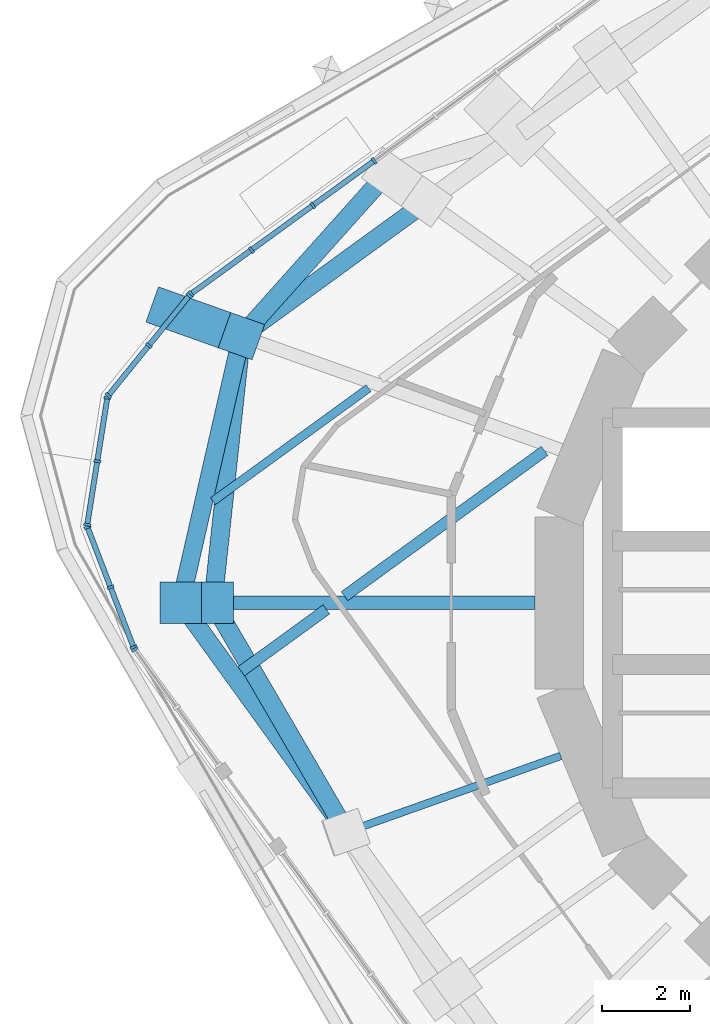
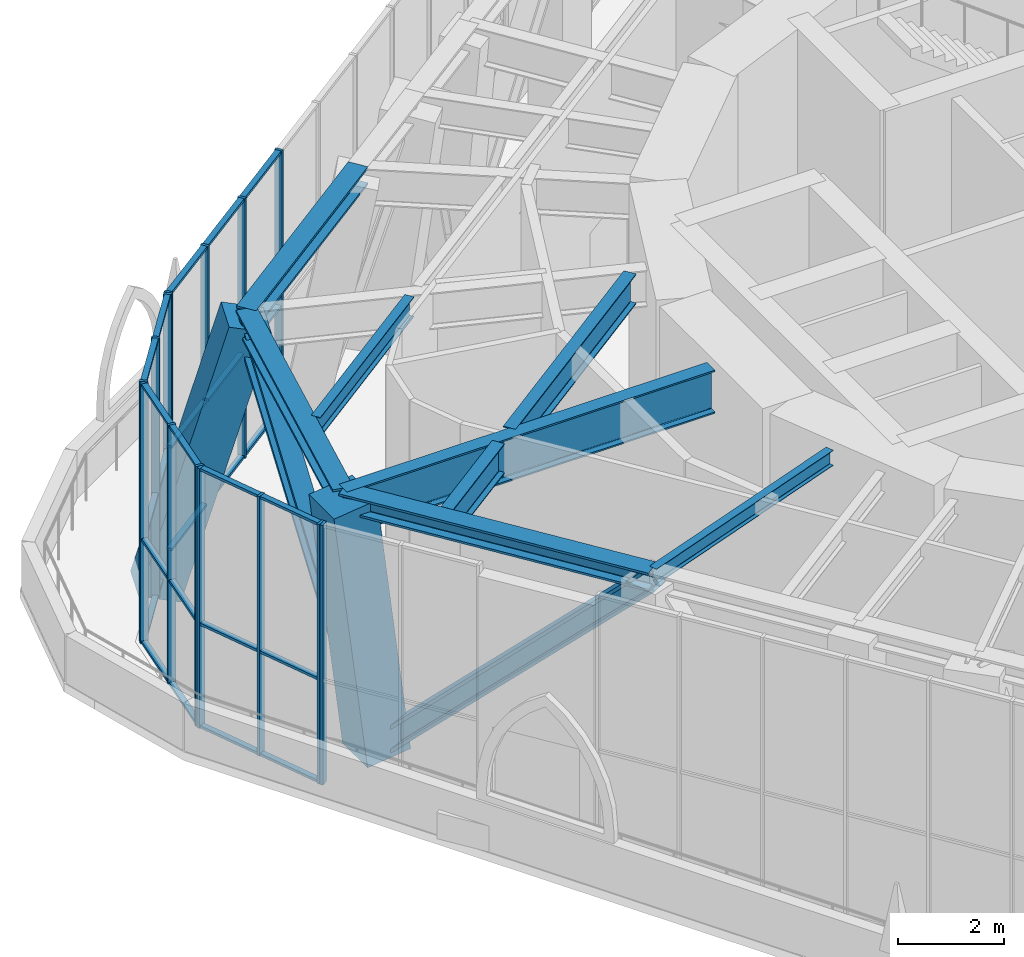
# One storey, part 4 of 18: 49 members, 5 beams, 5 elements without a shape of their own.
"""IFC4 building model written with IfcOpenShell, lengths in metres."""

from ifc_helpers import new_model, si_unit, direction, frame, origin, origin_2d, place, context, subcontext, project, spatial, rectangle, i_section, extrude, material, material_profile, profile_set, type_object, element, aggregate, save


model = new_model("IFC4")

# Units and contexts
model_context = context("Model", 3, precision=1e-05, world=origin(), true_north=direction((0.0, 1.0)))
body_context = subcontext(model_context, "Body", "Model", "MODEL_VIEW")
ifc_project = project(units=[si_unit("LENGTHUNIT", "METRE"), si_unit("AREAUNIT", "SQUARE_METRE"), si_unit("VOLUMEUNIT", "CUBIC_METRE"), si_unit("PLANEANGLEUNIT", "RADIAN"), si_unit("MASSUNIT", "GRAM", prefix="KILO")], contexts=[model_context])

# Site, building, storey
site_placement = place(None, origin())
site = spatial("IfcSite", under=ifc_project, at=site_placement, CompositionType="ELEMENT")
building_placement = place(site_placement, origin())
building = spatial("IfcBuilding", under=site, at=building_placement, Name="Nakasero Lantern House", CompositionType="ELEMENT")
storey_placement = place(building_placement, frame((0.0, 0.0, 257.75)))
storey = spatial("IfcBuildingStorey", under=building, at=storey_placement, Name="L63", CompositionType="ELEMENT", Elevation=257.75)

# Members
ifc_material_1 = material(Name="Steel S355", Category="steel")
ifc_material_profile_1 = material_profile(ifc_material_1, i_section(OverallWidth=0.406982421875, OverallDepth=0.4189453125, WebThickness=0.030517578125, FlangeThickness=0.04931640625, FilletRadius=0.01513671875, at=origin_2d()), Name="UC 356x406x393")
ifc_profile_set_1 = profile_set([ifc_material_profile_1], Name="Steel S355")
member_type_1 = type_object("IfcMemberType", Name="Belt truss chord UC 356x406x393", PredefinedType="CHORD", material=ifc_profile_set_1)
member_1_placement = place(storey_placement, frame((-12.810791015625, 9.10986328125, 5.590576171875), z_axis=(-0.809001814948, -0.587806144414, 0.0), x_axis=(0.587806144414, -0.809001814948, 0.0)))
element("IfcMember", 1, at=member_1_placement, inside=storey, type_object=member_type_1, Name="Belt truss top chord T6 B7-C13T", PredefinedType="CHORD", context=body_context, shape_type="SweptSolid", body=[
    extrude(i_section(OverallWidth=0.406982421875, OverallDepth=0.4189453125, WebThickness=0.030517578125, FlangeThickness=0.04931640625, FilletRadius=0.01513671875, at=origin_2d()), origin(), (0.0, 0.0, 1.0), 5.202880859375),
])
member_2_placement = place(storey_placement, frame((-17.02001953125, 6.051513671875, 5.590576171875), z_axis=(-0.222316387753, -0.974974575944, 0.0), x_axis=(0.974974575944, -0.222316387753, 0.0)))
element("IfcMember", 2, at=member_2_placement, inside=storey, type_object=member_type_1, Name="Belt truss top chord T6 B7-C14T", PredefinedType="CHORD", context=body_context, shape_type="SweptSolid", body=[
    extrude(i_section(OverallWidth=0.406982421875, OverallDepth=0.4189453125, WebThickness=0.030517578125, FlangeThickness=0.04931640625, FilletRadius=0.01513671875, at=origin_2d()), origin(), (0.0, 0.0, 1.0), 6.206787109375),
])
member_3_placement = place(storey_placement, frame((-18.39990234375, 0.0, 5.590576171875), z_axis=(0.58599287996, -0.810316200404, 0.0), x_axis=(0.810316200404, 0.58599287996, 0.0)))
element("IfcMember", 3, at=member_3_placement, inside=storey, type_object=member_type_1, Name="Belt truss top chord T6 B7-C15T", PredefinedType="CHORD", context=body_context, shape_type="SweptSolid", body=[
    extrude(i_section(OverallWidth=0.406982421875, OverallDepth=0.4189453125, WebThickness=0.030517578125, FlangeThickness=0.04931640625, FilletRadius=0.01513671875, at=origin_2d()), origin(), (0.0, 0.0, 1.0), 6.42236328125),
])
ifc_material_2 = material(Name="Steel S355", Category="steel")
ifc_material_profile_2 = material_profile(ifc_material_2, i_section(OverallWidth=0.41845703125, OverallDepth=0.45556640625, WebThickness=0.0419921875, FlangeThickness=0.0673828125, FilletRadius=0.01513671875, at=origin_2d()), Name="UC 356x406x551")
ifc_profile_set_2 = profile_set([ifc_material_profile_2], Name="Steel S355")
member_type_2 = type_object("IfcMemberType", Name="Belt truss diagonal UC 356x406x551", PredefinedType="BRACE", material=ifc_profile_set_2)
member_4_placement = place(storey_placement, frame((-13.711669921875, 9.75048828125, -0.409423828125), z_axis=(-0.424889739641, -0.475057519393, 0.770577096997), x_axis=(0.745367393129, -0.666653920157, 0.0)))
element("IfcMember", 4, at=member_4_placement, inside=storey, type_object=member_type_2, Name="Belt truss diagonal T6-13", PredefinedType="BRACE", context=body_context, shape_type="SweptSolid", body=[
    extrude(i_section(OverallWidth=0.41845703125, OverallDepth=0.45556640625, WebThickness=0.0419921875, FlangeThickness=0.0673828125, FilletRadius=0.01513671875, at=origin_2d()), origin(), (0.0, 0.0, 1.0), 7.786376953125),
])
member_5_placement = place(storey_placement, frame((-17.02001953125, 6.051513671875, 5.590576171875), z_axis=(-0.075701999968, -0.708085084226, -0.702057491021), x_axis=(0.994333561066, -0.106305076727, 0.0)))
element("IfcMember", 5, at=member_5_placement, inside=storey, type_object=member_type_2, Name="Belt truss diagonal T6-14", PredefinedType="BRACE", context=body_context, shape_type="SweptSolid", body=[
    extrude(i_section(OverallWidth=0.41845703125, OverallDepth=0.45556640625, WebThickness=0.0419921875, FlangeThickness=0.0673828125, FilletRadius=0.01513671875, at=origin_2d()), origin(), (0.0, 0.0, 1.0), 8.54638671875),
])
member_6_placement = place(storey_placement, frame((-17.6669921875, 0.0, -0.409423828125), z_axis=(0.356490257915, -0.612176455145, 0.705800739428), x_axis=(0.864155074652, 0.503225602442, 0.0)))
element("IfcMember", 6, at=member_6_placement, inside=storey, type_object=member_type_2, Name="Belt truss diagonal T6-15", PredefinedType="BRACE", context=body_context, shape_type="SweptSolid", body=[
    extrude(i_section(OverallWidth=0.41845703125, OverallDepth=0.45556640625, WebThickness=0.0419921875, FlangeThickness=0.0673828125, FilletRadius=0.01513671875, at=origin_2d()), origin(), (0.0, 0.0, 1.0), 8.5009765625),
])

# Beams
ifc_material_3 = material(Name="Steel S355", Category="steel")
ifc_material_profile_3 = material_profile(ifc_material_3, i_section(OverallWidth=0.19140625, OverallDepth=0.4599609375, WebThickness=0.010009765625, FlangeThickness=0.01611328125, FilletRadius=0.01025390625, at=origin_2d()), Name="UB 457x191x82")
ifc_profile_set_3 = profile_set([ifc_material_profile_3], Name="Steel S355")
beam_type_1 = type_object("IfcBeamType", Name="Infill beam UB 457x191x82", PredefinedType="JOIST", material=ifc_profile_set_3)
beam_1_placement = place(storey_placement, frame((-17.6650390625, 2.307373046875, 5.570068359375), z_axis=(0.809009518897, 0.587795541267, 0.0), x_axis=(-0.587795541267, 0.809009518897, 0.0)))
element("IfcBeam", 7, at=beam_1_placement, inside=storey, type_object=beam_type_1, Name="Infill beam L64 10.1", PredefinedType="JOIST", context=body_context, shape_type="SweptSolid", body=[
    extrude(i_section(OverallWidth=0.19140625, OverallDepth=0.4599609375, WebThickness=0.010009765625, FlangeThickness=0.01611328125, FilletRadius=0.01025390625, at=origin_2d()), origin(), (0.0, 0.0, 1.0), 4.361572265625),
])
ifc_material_4 = material(Name="Steel S355", Category="steel")
ifc_material_profile_4 = material_profile(ifc_material_4, i_section(OverallWidth=0.255859375, OverallDepth=0.69287109375, WebThickness=0.014404296875, FlangeThickness=0.023681640625, FilletRadius=0.01513671875, at=origin_2d()), Name="UB 686x254x170")
ifc_profile_set_4 = profile_set([ifc_material_profile_4], Name="Steel S355")
beam_type_2 = type_object("IfcBeamType", Name="Infill beam UB 686x254x170", PredefinedType="JOIST", material=ifc_profile_set_4)
beam_2_placement = place(storey_placement, frame((-17.025146484375, -1.553955078125, 5.45361328125), z_axis=(0.808996779929, 0.587813074084, 0.0), x_axis=(-0.587813074084, 0.808996779929, 0.0)))
element("IfcBeam", 8, at=beam_2_placement, inside=storey, type_object=beam_type_2, Name="Infill beam L64 09.1", PredefinedType="JOIST", context=body_context, shape_type="SweptSolid", body=[
    extrude(i_section(OverallWidth=0.255859375, OverallDepth=0.69287109375, WebThickness=0.014404296875, FlangeThickness=0.023681640625, FilletRadius=0.01513671875, at=origin_2d()), origin(), (0.0, 0.0, 1.0), 2.388671875),
])
beam_3_placement = place(storey_placement, frame((-14.679931640625, 0.14990234375, 5.45361328125), z_axis=(0.808999293537, 0.587809614635, 0.0), x_axis=(-0.587809614635, 0.808999293537, 0.0)))
element("IfcBeam", 9, at=beam_3_placement, inside=storey, type_object=beam_type_2, Name="Infill beam L64 09.2", PredefinedType="JOIST", context=body_context, shape_type="SweptSolid", body=[
    extrude(i_section(OverallWidth=0.255859375, OverallDepth=0.69287109375, WebThickness=0.014404296875, FlangeThickness=0.023681640625, FilletRadius=0.01513671875, at=origin_2d()), origin(), (0.0, 0.0, 1.0), 5.61376953125),
])

# Curtain wall, members
ifc_material_5 = material(Name="Aluminium 6063-T6 and glass", Category="aluminium")
curtain_wall_type = type_object("IfcCurtainWallType", Name="Sky lounge glazing CW-3", PredefinedType="USERDEFINED", material=ifc_material_5)
curtain_wall_1_placement = place(storey_placement, origin())
curtain_wall_1 = element("IfcCurtainWall", 10, at=curtain_wall_1_placement, inside=storey, type_object=curtain_wall_type, Name="Curtain wall CW-3 L63", ObjectType="STICK CURTAIN WALL", PredefinedType="USERDEFINED")
ifc_material_6 = material(Name="Aluminium 6063-T6", Category="aluminium")
ifc_material_profile_5 = material_profile(ifc_material_6, rectangle(XDim=0.06005859375, YDim=0.159912109375, at=origin_2d()), Name="CW-3 mullion 60x160")
ifc_profile_set_5 = profile_set([ifc_material_profile_5], Name="Aluminium 6063-T6")
member_type_3 = type_object("IfcMemberType", Name="Mullion CW-3", PredefinedType="MULLION", material=ifc_profile_set_5)
member_7_placement = place(storey_placement, frame((-14.005859375, 10.03369140625, 0.0), z_axis=(0.0, 0.0, 1.0), x_axis=(-0.809016994375, -0.587785252292, 0.0)))
member_7 = element("IfcMember", 11, at=member_7_placement, type_object=member_type_3, Name="CW-3 mullion 7", PredefinedType="MULLION", context=body_context, shape_type="SweptSolid", body=[
    extrude(rectangle(XDim=0.06005859375, YDim=0.159912109375, at=origin_2d()), origin(), (0.0, 0.0, 1.0), 6.0),
])
member_8_placement = place(storey_placement, frame((-15.399169921875, 9.021484375, 0.0), z_axis=(0.0, 0.0, 1.0), x_axis=(-0.809016994375, -0.587785252292, 0.0)))
member_8 = element("IfcMember", 12, at=member_8_placement, type_object=member_type_3, Name="CW-3 mullion 8", PredefinedType="MULLION", context=body_context, shape_type="SweptSolid", body=[
    extrude(rectangle(XDim=0.06005859375, YDim=0.159912109375, at=origin_2d()), origin(), (0.0, 0.0, 1.0), 6.0),
])
member_9_placement = place(storey_placement, frame((-16.79248046875, 8.00927734375, 0.0), z_axis=(0.0, 0.0, 1.0), x_axis=(-0.809016994375, -0.587785252292, 0.0)))
member_9 = element("IfcMember", 13, at=member_9_placement, type_object=member_type_3, Name="CW-3 mullion 9", PredefinedType="MULLION", context=body_context, shape_type="SweptSolid", body=[
    extrude(rectangle(XDim=0.06005859375, YDim=0.159912109375, at=origin_2d()), origin(), (0.0, 0.0, 1.0), 6.0),
])
member_10_placement = place(storey_placement, frame((-18.16162109375, 7.0146484375, 0.0), z_axis=(0.0, 0.0, 1.0), x_axis=(-0.809016994375, -0.587785252292, 0.0)))
member_10 = element("IfcMember", 14, at=member_10_placement, type_object=member_type_3, Name="CW-3 mullion 10", PredefinedType="MULLION", context=body_context, shape_type="SweptSolid", body=[
    extrude(rectangle(XDim=0.06005859375, YDim=0.159912109375, at=origin_2d()), origin(), (0.0, 0.0, 1.0), 6.0),
])

curtain_wall_2_placement = place(storey_placement, origin())
curtain_wall_2 = element("IfcCurtainWall", 15, at=curtain_wall_2_placement, inside=storey, type_object=curtain_wall_type, Name="Curtain wall CW-3 L63", ObjectType="STICK CURTAIN WALL", PredefinedType="USERDEFINED")
member_11_placement = place(storey_placement, frame((-18.204833984375, 6.9736328125, 0.0), z_axis=(0.0, 0.0, 1.0), x_axis=(-0.62932039105, -0.777145961457, 0.0)))
member_11 = element("IfcMember", 16, at=member_11_placement, type_object=member_type_3, Name="CW-3 mullion 1", PredefinedType="MULLION", context=body_context, shape_type="SweptSolid", body=[
    extrude(rectangle(XDim=0.06005859375, YDim=0.159912109375, at=origin_2d()), origin(), (0.0, 0.0, 1.0), 6.0),
])
member_12_placement = place(storey_placement, frame((-19.122314453125, 5.84033203125, 0.0), z_axis=(0.0, 0.0, 1.0), x_axis=(-0.62932039105, -0.777145961457, 0.0)))
member_12 = element("IfcMember", 17, at=member_12_placement, type_object=member_type_3, Name="CW-3 mullion 2", PredefinedType="MULLION", context=body_context, shape_type="SweptSolid", body=[
    extrude(rectangle(XDim=0.06005859375, YDim=0.159912109375, at=origin_2d()), origin(), (0.0, 0.0, 1.0), 6.0),
])
member_13_placement = place(storey_placement, frame((-20.0400390625, 4.70703125, 0.0), z_axis=(0.0, 0.0, 1.0), x_axis=(-0.62932039105, -0.777145961457, 0.0)))
member_13 = element("IfcMember", 18, at=member_13_placement, type_object=member_type_3, Name="CW-3 mullion 3", PredefinedType="MULLION", context=body_context, shape_type="SweptSolid", body=[
    extrude(rectangle(XDim=0.06005859375, YDim=0.159912109375, at=origin_2d()), origin(), (0.0, 0.0, 1.0), 6.0),
])

curtain_wall_3_placement = place(storey_placement, origin())
curtain_wall_3 = element("IfcCurtainWall", 19, at=curtain_wall_3_placement, inside=storey, type_object=curtain_wall_type, Name="Curtain wall CW-3 L63", ObjectType="STICK CURTAIN WALL", PredefinedType="USERDEFINED")
member_14_placement = place(storey_placement, frame((-20.063720703125, 4.654052734375, 0.0), z_axis=(0.0, 0.0, 1.0), x_axis=(-0.15643446504, -0.987688340595, 0.0)))
member_14 = element("IfcMember", 20, at=member_14_placement, type_object=member_type_3, Name="CW-3 mullion 1", PredefinedType="MULLION", context=body_context, shape_type="SweptSolid", body=[
    extrude(rectangle(XDim=0.06005859375, YDim=0.159912109375, at=origin_2d()), origin(), (0.0, 0.0, 1.0), 6.0),
])
member_15_placement = place(storey_placement, frame((-20.291748046875, 3.2138671875, 0.0), z_axis=(0.0, 0.0, 1.0), x_axis=(-0.15643446504, -0.987688340595, 0.0)))
member_15 = element("IfcMember", 21, at=member_15_placement, type_object=member_type_3, Name="CW-3 mullion 2", PredefinedType="MULLION", context=body_context, shape_type="SweptSolid", body=[
    extrude(rectangle(XDim=0.06005859375, YDim=0.159912109375, at=origin_2d()), origin(), (0.0, 0.0, 1.0), 6.0),
])
member_16_placement = place(storey_placement, frame((-20.52001953125, 1.773681640625, 0.0), z_axis=(0.0, 0.0, 1.0), x_axis=(-0.15643446504, -0.987688340595, 0.0)))
member_16 = element("IfcMember", 22, at=member_16_placement, type_object=member_type_3, Name="CW-3 mullion 3", PredefinedType="MULLION", context=body_context, shape_type="SweptSolid", body=[
    extrude(rectangle(XDim=0.06005859375, YDim=0.159912109375, at=origin_2d()), origin(), (0.0, 0.0, 1.0), 6.0),
])

curtain_wall_4_placement = place(storey_placement, origin())
curtain_wall_4 = element("IfcCurtainWall", 23, at=curtain_wall_4_placement, inside=storey, type_object=curtain_wall_type, Name="Curtain wall CW-3 L63", ObjectType="STICK CURTAIN WALL", PredefinedType="USERDEFINED")
member_17_placement = place(storey_placement, frame((-20.513916015625, 1.716064453125, 0.0), z_axis=(0.0, 0.0, 1.0), x_axis=(0.358367949545, -0.933580426497, 0.0)))
member_17 = element("IfcMember", 24, at=member_17_placement, type_object=member_type_3, Name="CW-3 mullion 1", PredefinedType="MULLION", context=body_context, shape_type="SweptSolid", body=[
    extrude(rectangle(XDim=0.06005859375, YDim=0.159912109375, at=origin_2d()), origin(), (0.0, 0.0, 1.0), 6.0),
])
member_18_placement = place(storey_placement, frame((-19.9912109375, 0.354736328125, 0.0), z_axis=(0.0, 0.0, 1.0), x_axis=(0.358367949545, -0.933580426497, 0.0)))
member_18 = element("IfcMember", 25, at=member_18_placement, type_object=member_type_3, Name="CW-3 mullion 2", PredefinedType="MULLION", context=body_context, shape_type="SweptSolid", body=[
    extrude(rectangle(XDim=0.06005859375, YDim=0.159912109375, at=origin_2d()), origin(), (0.0, 0.0, 1.0), 6.0),
])
member_19_placement = place(storey_placement, frame((-19.46875, -1.006591796875, 0.0), z_axis=(0.0, 0.0, 1.0), x_axis=(0.358367949545, -0.933580426497, 0.0)))
member_19 = element("IfcMember", 26, at=member_19_placement, type_object=member_type_3, Name="CW-3 mullion 3", PredefinedType="MULLION", context=body_context, shape_type="SweptSolid", body=[
    extrude(rectangle(XDim=0.06005859375, YDim=0.159912109375, at=origin_2d()), origin(), (0.0, 0.0, 1.0), 6.0),
])

# Curtain wall, member
curtain_wall_5_placement = place(storey_placement, origin())
curtain_wall_5 = element("IfcCurtainWall", 27, at=curtain_wall_5_placement, inside=storey, type_object=curtain_wall_type, Name="Curtain wall CW-3 L63", ObjectType="STICK CURTAIN WALL", PredefinedType="USERDEFINED")
member_20_placement = place(storey_placement, frame((-19.4404296875, -1.05908203125, 0.0), z_axis=(0.0, 0.0, 1.0), x_axis=(0.587785252292, -0.809016994375, 0.0)))
member_20 = element("IfcMember", 28, at=member_20_placement, type_object=member_type_3, Name="CW-3 mullion 1", PredefinedType="MULLION", context=body_context, shape_type="SweptSolid", body=[
    extrude(rectangle(XDim=0.06005859375, YDim=0.159912109375, at=origin_2d()), origin(), (0.0, 0.0, 1.0), 6.0),
])
aggregate(curtain_wall_5, [member_20])

# Beams
ifc_material_7 = material(Name="Steel S355", Category="steel")
ifc_material_profile_6 = material_profile(ifc_material_7, i_section(OverallWidth=0.300048828125, OverallDepth=1.0, WebThickness=0.01904296875, FlangeThickness=0.035888671875, FilletRadius=0.030029296875, at=origin_2d()), Name="UB 1016x305x314")
ifc_profile_set_6 = profile_set([ifc_material_profile_6], Name="Steel S355")
beam_type_3 = type_object("IfcBeamType", Name="Primary beam UB 1016x305x314, span 6 to 9 m", PredefinedType="BEAM", material=ifc_profile_set_6)
beam_4_placement = place(storey_placement, frame((-18.39990234375, 0.0, 5.300048828125), z_axis=(1.0, 0.0, 0.0), x_axis=(0.0, 1.0, 0.0)))
element("IfcBeam", 29, at=beam_4_placement, inside=storey, type_object=beam_type_3, Name="Primary beam L64 B7-C15T", PredefinedType="BEAM", context=body_context, shape_type="SweptSolid", body=[
    extrude(i_section(OverallWidth=0.300048828125, OverallDepth=1.0, WebThickness=0.01904296875, FlangeThickness=0.035888671875, FilletRadius=0.030029296875, at=origin_2d()), origin(), (0.0, 0.0, 1.0), 8.0419921875),
])
ifc_material_8 = material(Name="Steel S355", Category="steel")
ifc_material_profile_7 = material_profile(ifc_material_8, i_section(OverallWidth=0.17138671875, OverallDepth=0.35498046875, WebThickness=0.00732421875, FlangeThickness=0.011474609375, FilletRadius=0.01025390625, at=origin_2d()), Name="UB 356x171x51")
ifc_profile_set_7 = profile_set([ifc_material_profile_7], Name="Steel S355")
beam_type_4 = type_object("IfcBeamType", Name="Primary beam UB 356x171x51, span to 6 m", PredefinedType="BEAM", material=ifc_profile_set_7)
beam_5_placement = place(storey_placement, frame((-14.636474609375, -5.2041015625, 5.62255859375), z_axis=(0.942221324153, 0.3349910093, 0.0), x_axis=(-0.3349910093, 0.942221324153, 0.0)))
element("IfcBeam", 30, at=beam_5_placement, inside=storey, type_object=beam_type_4, Name="Primary beam L64 B7-C16T", PredefinedType="BEAM", context=body_context, shape_type="SweptSolid", body=[
    extrude(i_section(OverallWidth=0.17138671875, OverallDepth=0.35498046875, WebThickness=0.00732421875, FlangeThickness=0.011474609375, FilletRadius=0.01025390625, at=origin_2d()), origin(), (0.0, 0.0, 1.0), 5.162841796875),
])

# Members
ifc_material_9 = material(Name="Concrete C45/55", Category="concrete")
ifc_material_profile_8 = material_profile(ifc_material_9, rectangle(XDim=0.85009765625, YDim=0.85009765625, at=origin_2d()), Name="RC 850x850")
ifc_profile_set_8 = profile_set([ifc_material_profile_8], Name="Concrete C45/55")
member_type_4 = type_object("IfcMemberType", Name="Raking column RC 850x850 C45/55", PredefinedType="STRUT", material=ifc_profile_set_8)
member_21_placement = place(storey_placement, frame((-18.661376953125, 6.63525390625, -0.409423828125), z_axis=(0.262710327558, -0.093431562277, 0.960340474501), x_axis=(0.335084315865, 0.942188145362, 0.0)))
element("IfcMember", 31, at=member_21_placement, inside=storey, type_object=member_type_4, Name="Raking column B7-C14T L63", PredefinedType="STRUT", context=body_context, shape_type="SweptSolid", body=[
    extrude(rectangle(XDim=0.85009765625, YDim=0.85009765625, at=origin_2d()), origin(), (0.0, 0.0, 1.0), 6.247802734375),
])
ifc_material_10 = material(Name="Concrete C45/55", Category="concrete")
ifc_material_profile_9 = material_profile(ifc_material_10, rectangle(XDim=0.949951171875, YDim=0.949951171875, at=origin_2d()), Name="RC 950x950")
ifc_profile_set_9 = profile_set([ifc_material_profile_9], Name="Concrete C45/55")
member_type_5 = type_object("IfcMemberType", Name="Raking column RC 950x950 C45/55", PredefinedType="STRUT", material=ifc_profile_set_9)
member_22_placement = place(storey_placement, frame((-17.6669921875, 0.0, -0.409423828125), z_axis=(-0.121250450952, 0.0, 0.992621946233), x_axis=(0.0, -1.0, 0.0)))
element("IfcMember", 32, at=member_22_placement, inside=storey, type_object=member_type_5, Name="Raking column B7-C15T L63", PredefinedType="STRUT", context=body_context, shape_type="SweptSolid", body=[
    extrude(rectangle(XDim=0.949951171875, YDim=0.949951171875, at=origin_2d()), origin(), (0.0, 0.0, 1.0), 6.044677734375),
])

# Member
ifc_material_11 = material(Name="Aluminium 6063-T6", Category="aluminium")
ifc_material_profile_10 = material_profile(ifc_material_11, rectangle(XDim=0.06005859375, YDim=0.1201171875, at=origin_2d()), Name="CW-3 transom 60x120")
ifc_profile_set_10 = profile_set([ifc_material_profile_10], Name="Aluminium 6063-T6")
member_type_6 = type_object("IfcMemberType", Name="Transom CW-3", PredefinedType="USERDEFINED", material=ifc_profile_set_10)
member_23_placement = place(storey_placement, frame((-14.0302734375, 10.01611328125, 0.030029296875), z_axis=(-0.809002762913, -0.58780483972, 0.0), x_axis=(0.0, 0.0, 1.0)))
member_23 = element("IfcMember", 33, at=member_23_placement, type_object=member_type_6, Name="CW-3 transom 7.1", ObjectType="TRANSOM", PredefinedType="USERDEFINED", context=body_context, shape_type="SweptSolid", body=[
    extrude(rectangle(XDim=0.06005859375, YDim=0.1201171875, at=origin_2d()), origin(), (0.0, 0.0, 1.0), 1.662109375),
])

member_24_placement = place(storey_placement, frame((-14.0302734375, 10.01611328125, 2.39990234375), z_axis=(-0.809002762913, -0.58780483972, 0.0), x_axis=(0.0, 0.0, 1.0)))
member_24 = element("IfcMember", 34, at=member_24_placement, type_object=member_type_6, Name="CW-3 transom 7.2", ObjectType="TRANSOM", PredefinedType="USERDEFINED", context=body_context, shape_type="SweptSolid", body=[
    extrude(rectangle(XDim=0.06005859375, YDim=0.1201171875, at=origin_2d()), origin(), (0.0, 0.0, 1.0), 1.662109375),
])

member_25_placement = place(storey_placement, frame((-14.0302734375, 10.01611328125, 5.969970703125), z_axis=(-0.809002762913, -0.58780483972, 0.0), x_axis=(0.0, 0.0, 1.0)))
member_25 = element("IfcMember", 35, at=member_25_placement, type_object=member_type_6, Name="CW-3 transom 7.3", ObjectType="TRANSOM", PredefinedType="USERDEFINED", context=body_context, shape_type="SweptSolid", body=[
    extrude(rectangle(XDim=0.06005859375, YDim=0.1201171875, at=origin_2d()), origin(), (0.0, 0.0, 1.0), 1.662109375),
])

member_26_placement = place(storey_placement, frame((-15.423583984375, 9.00390625, 0.030029296875), z_axis=(-0.809002762913, -0.58780483972, 0.0), x_axis=(0.0, 0.0, 1.0)))
member_26 = element("IfcMember", 36, at=member_26_placement, type_object=member_type_6, Name="CW-3 transom 8.1", ObjectType="TRANSOM", PredefinedType="USERDEFINED", context=body_context, shape_type="SweptSolid", body=[
    extrude(rectangle(XDim=0.06005859375, YDim=0.1201171875, at=origin_2d()), origin(), (0.0, 0.0, 1.0), 1.662109375),
])

member_27_placement = place(storey_placement, frame((-15.423583984375, 9.00390625, 2.39990234375), z_axis=(-0.809002762913, -0.58780483972, 0.0), x_axis=(0.0, 0.0, 1.0)))
member_27 = element("IfcMember", 37, at=member_27_placement, type_object=member_type_6, Name="CW-3 transom 8.2", ObjectType="TRANSOM", PredefinedType="USERDEFINED", context=body_context, shape_type="SweptSolid", body=[
    extrude(rectangle(XDim=0.06005859375, YDim=0.1201171875, at=origin_2d()), origin(), (0.0, 0.0, 1.0), 1.662109375),
])

member_28_placement = place(storey_placement, frame((-15.423583984375, 9.00390625, 5.969970703125), z_axis=(-0.809002762913, -0.58780483972, 0.0), x_axis=(0.0, 0.0, 1.0)))
member_28 = element("IfcMember", 38, at=member_28_placement, type_object=member_type_6, Name="CW-3 transom 8.3", ObjectType="TRANSOM", PredefinedType="USERDEFINED", context=body_context, shape_type="SweptSolid", body=[
    extrude(rectangle(XDim=0.06005859375, YDim=0.1201171875, at=origin_2d()), origin(), (0.0, 0.0, 1.0), 1.662109375),
])

member_29_placement = place(storey_placement, frame((-16.81689453125, 7.991455078125, 0.030029296875), z_axis=(-0.809027095268, -0.587771349354, 0.0), x_axis=(0.0, 0.0, 1.0)))
member_29 = element("IfcMember", 39, at=member_29_placement, type_object=member_type_6, Name="CW-3 transom 9.1", ObjectType="TRANSOM", PredefinedType="USERDEFINED", context=body_context, shape_type="SweptSolid", body=[
    extrude(rectangle(XDim=0.06005859375, YDim=0.1201171875, at=origin_2d()), origin(), (0.0, 0.0, 1.0), 1.632080078125),
])

member_30_placement = place(storey_placement, frame((-16.81689453125, 7.991455078125, 2.39990234375), z_axis=(-0.809027095268, -0.587771349354, 0.0), x_axis=(0.0, 0.0, 1.0)))
member_30 = element("IfcMember", 40, at=member_30_placement, type_object=member_type_6, Name="CW-3 transom 9.2", ObjectType="TRANSOM", PredefinedType="USERDEFINED", context=body_context, shape_type="SweptSolid", body=[
    extrude(rectangle(XDim=0.06005859375, YDim=0.1201171875, at=origin_2d()), origin(), (0.0, 0.0, 1.0), 1.632080078125),
])

member_31_placement = place(storey_placement, frame((-16.81689453125, 7.991455078125, 5.969970703125), z_axis=(-0.809027095268, -0.587771349354, 0.0), x_axis=(0.0, 0.0, 1.0)))
member_31 = element("IfcMember", 41, at=member_31_placement, type_object=member_type_6, Name="CW-3 transom 9.3", ObjectType="TRANSOM", PredefinedType="USERDEFINED", context=body_context, shape_type="SweptSolid", body=[
    extrude(rectangle(XDim=0.06005859375, YDim=0.1201171875, at=origin_2d()), origin(), (0.0, 0.0, 1.0), 1.632080078125),
])

aggregate(curtain_wall_1, [member_7, member_8, member_9, member_10, member_23, member_24, member_25, member_26, member_27, member_28, member_29, member_30, member_31])

member_32_placement = place(storey_placement, frame((-18.2236328125, 6.9501953125, 0.030029296875), z_axis=(-0.629369016646, -0.777106582707, 0.0), x_axis=(0.0, 0.0, 1.0)))
member_32 = element("IfcMember", 42, at=member_32_placement, type_object=member_type_6, Name="CW-3 transom 1.1", ObjectType="TRANSOM", PredefinedType="USERDEFINED", context=body_context, shape_type="SweptSolid", body=[
    extrude(rectangle(XDim=0.06005859375, YDim=0.1201171875, at=origin_2d()), origin(), (0.0, 0.0, 1.0), 1.39794921875),
])

member_33_placement = place(storey_placement, frame((-18.2236328125, 6.9501953125, 2.39990234375), z_axis=(-0.629369016646, -0.777106582707, 0.0), x_axis=(0.0, 0.0, 1.0)))
member_33 = element("IfcMember", 43, at=member_33_placement, type_object=member_type_6, Name="CW-3 transom 1.2", ObjectType="TRANSOM", PredefinedType="USERDEFINED", context=body_context, shape_type="SweptSolid", body=[
    extrude(rectangle(XDim=0.06005859375, YDim=0.1201171875, at=origin_2d()), origin(), (0.0, 0.0, 1.0), 1.39794921875),
])

member_34_placement = place(storey_placement, frame((-18.2236328125, 6.9501953125, 5.969970703125), z_axis=(-0.629369016646, -0.777106582707, 0.0), x_axis=(0.0, 0.0, 1.0)))
member_34 = element("IfcMember", 44, at=member_34_placement, type_object=member_type_6, Name="CW-3 transom 1.3", ObjectType="TRANSOM", PredefinedType="USERDEFINED", context=body_context, shape_type="SweptSolid", body=[
    extrude(rectangle(XDim=0.06005859375, YDim=0.1201171875, at=origin_2d()), origin(), (0.0, 0.0, 1.0), 1.39794921875),
])

member_35_placement = place(storey_placement, frame((-19.141357421875, 5.817138671875, 0.030029296875), z_axis=(-0.629283614868, -0.777175740781, 0.0), x_axis=(0.0, 0.0, 1.0)))
member_35 = element("IfcMember", 45, at=member_35_placement, type_object=member_type_6, Name="CW-3 transom 2.1", ObjectType="TRANSOM", PredefinedType="USERDEFINED", context=body_context, shape_type="SweptSolid", body=[
    extrude(rectangle(XDim=0.06005859375, YDim=0.1201171875, at=origin_2d()), origin(), (0.0, 0.0, 1.0), 1.398193359375),
])

member_36_placement = place(storey_placement, frame((-19.141357421875, 5.817138671875, 2.39990234375), z_axis=(-0.629283614868, -0.777175740781, 0.0), x_axis=(0.0, 0.0, 1.0)))
member_36 = element("IfcMember", 46, at=member_36_placement, type_object=member_type_6, Name="CW-3 transom 2.2", ObjectType="TRANSOM", PredefinedType="USERDEFINED", context=body_context, shape_type="SweptSolid", body=[
    extrude(rectangle(XDim=0.06005859375, YDim=0.1201171875, at=origin_2d()), origin(), (0.0, 0.0, 1.0), 1.398193359375),
])

member_37_placement = place(storey_placement, frame((-19.141357421875, 5.817138671875, 5.969970703125), z_axis=(-0.629283614868, -0.777175740781, 0.0), x_axis=(0.0, 0.0, 1.0)))
member_37 = element("IfcMember", 47, at=member_37_placement, type_object=member_type_6, Name="CW-3 transom 2.3", ObjectType="TRANSOM", PredefinedType="USERDEFINED", context=body_context, shape_type="SweptSolid", body=[
    extrude(rectangle(XDim=0.06005859375, YDim=0.1201171875, at=origin_2d()), origin(), (0.0, 0.0, 1.0), 1.398193359375),
])

aggregate(curtain_wall_2, [member_11, member_12, member_13, member_32, member_33, member_34, member_35, member_36, member_37])

member_38_placement = place(storey_placement, frame((-20.068359375, 4.62451171875, 0.030029296875), z_axis=(-0.156464720495, -0.987683548127, 0.0), x_axis=(0.0, 0.0, 1.0)))
member_38 = element("IfcMember", 48, at=member_38_placement, type_object=member_type_6, Name="CW-3 transom 1.1", ObjectType="TRANSOM", PredefinedType="USERDEFINED", context=body_context, shape_type="SweptSolid", body=[
    extrude(rectangle(XDim=0.06005859375, YDim=0.1201171875, at=origin_2d()), origin(), (0.0, 0.0, 1.0), 1.398193359375),
])

member_39_placement = place(storey_placement, frame((-20.068359375, 4.62451171875, 2.39990234375), z_axis=(-0.156464720495, -0.987683548127, 0.0), x_axis=(0.0, 0.0, 1.0)))
member_39 = element("IfcMember", 49, at=member_39_placement, type_object=member_type_6, Name="CW-3 transom 1.2", ObjectType="TRANSOM", PredefinedType="USERDEFINED", context=body_context, shape_type="SweptSolid", body=[
    extrude(rectangle(XDim=0.06005859375, YDim=0.1201171875, at=origin_2d()), origin(), (0.0, 0.0, 1.0), 1.398193359375),
])

member_40_placement = place(storey_placement, frame((-20.068359375, 4.62451171875, 5.969970703125), z_axis=(-0.156464720495, -0.987683548127, 0.0), x_axis=(0.0, 0.0, 1.0)))
member_40 = element("IfcMember", 50, at=member_40_placement, type_object=member_type_6, Name="CW-3 transom 1.3", ObjectType="TRANSOM", PredefinedType="USERDEFINED", context=body_context, shape_type="SweptSolid", body=[
    extrude(rectangle(XDim=0.06005859375, YDim=0.1201171875, at=origin_2d()), origin(), (0.0, 0.0, 1.0), 1.398193359375),
])

member_41_placement = place(storey_placement, frame((-20.29638671875, 3.184326171875, 0.030029296875), z_axis=(-0.156437738833, -0.987687822072, 0.0), x_axis=(0.0, 0.0, 1.0)))
member_41 = element("IfcMember", 51, at=member_41_placement, type_object=member_type_6, Name="CW-3 transom 2.1", ObjectType="TRANSOM", PredefinedType="USERDEFINED", context=body_context, shape_type="SweptSolid", body=[
    extrude(rectangle(XDim=0.06005859375, YDim=0.1201171875, at=origin_2d()), origin(), (0.0, 0.0, 1.0), 1.3984375),
])

member_42_placement = place(storey_placement, frame((-20.29638671875, 3.184326171875, 2.39990234375), z_axis=(-0.156437738833, -0.987687822072, 0.0), x_axis=(0.0, 0.0, 1.0)))
member_42 = element("IfcMember", 52, at=member_42_placement, type_object=member_type_6, Name="CW-3 transom 2.2", ObjectType="TRANSOM", PredefinedType="USERDEFINED", context=body_context, shape_type="SweptSolid", body=[
    extrude(rectangle(XDim=0.06005859375, YDim=0.1201171875, at=origin_2d()), origin(), (0.0, 0.0, 1.0), 1.3984375),
])

member_43_placement = place(storey_placement, frame((-20.29638671875, 3.184326171875, 5.969970703125), z_axis=(-0.156437738833, -0.987687822072, 0.0), x_axis=(0.0, 0.0, 1.0)))
member_43 = element("IfcMember", 53, at=member_43_placement, type_object=member_type_6, Name="CW-3 transom 2.3", ObjectType="TRANSOM", PredefinedType="USERDEFINED", context=body_context, shape_type="SweptSolid", body=[
    extrude(rectangle(XDim=0.06005859375, YDim=0.1201171875, at=origin_2d()), origin(), (0.0, 0.0, 1.0), 1.3984375),
])

aggregate(curtain_wall_3, [member_14, member_15, member_16, member_38, member_39, member_40, member_41, member_42, member_43])

member_44_placement = place(storey_placement, frame((-20.503173828125, 1.68798828125, 0.030029296875), z_axis=(0.358440839092, -0.933552443557, 0.0), x_axis=(0.0, 0.0, 1.0)))
member_44 = element("IfcMember", 54, at=member_44_placement, type_object=member_type_6, Name="CW-3 transom 1.1", ObjectType="TRANSOM", PredefinedType="USERDEFINED", context=body_context, shape_type="SweptSolid", body=[
    extrude(rectangle(XDim=0.06005859375, YDim=0.1201171875, at=origin_2d()), origin(), (0.0, 0.0, 1.0), 1.3984375),
])

member_45_placement = place(storey_placement, frame((-20.503173828125, 1.68798828125, 2.39990234375), z_axis=(0.358440839092, -0.933552443557, 0.0), x_axis=(0.0, 0.0, 1.0)))
member_45 = element("IfcMember", 55, at=member_45_placement, type_object=member_type_6, Name="CW-3 transom 1.2", ObjectType="TRANSOM", PredefinedType="USERDEFINED", context=body_context, shape_type="SweptSolid", body=[
    extrude(rectangle(XDim=0.06005859375, YDim=0.1201171875, at=origin_2d()), origin(), (0.0, 0.0, 1.0), 1.3984375),
])

member_46_placement = place(storey_placement, frame((-20.503173828125, 1.68798828125, 5.969970703125), z_axis=(0.358440839092, -0.933552443557, 0.0), x_axis=(0.0, 0.0, 1.0)))
member_46 = element("IfcMember", 56, at=member_46_placement, type_object=member_type_6, Name="CW-3 transom 1.3", ObjectType="TRANSOM", PredefinedType="USERDEFINED", context=body_context, shape_type="SweptSolid", body=[
    extrude(rectangle(XDim=0.06005859375, YDim=0.1201171875, at=origin_2d()), origin(), (0.0, 0.0, 1.0), 1.3984375),
])

member_47_placement = place(storey_placement, frame((-19.98046875, 0.32666015625, 0.030029296875), z_axis=(0.35828866289, -0.93361085793, 0.0), x_axis=(0.0, 0.0, 1.0)))
member_47 = element("IfcMember", 57, at=member_47_placement, type_object=member_type_6, Name="CW-3 transom 2.1", ObjectType="TRANSOM", PredefinedType="USERDEFINED", context=body_context, shape_type="SweptSolid", body=[
    extrude(rectangle(XDim=0.06005859375, YDim=0.1201171875, at=origin_2d()), origin(), (0.0, 0.0, 1.0), 1.398193359375),
])

member_48_placement = place(storey_placement, frame((-19.98046875, 0.32666015625, 2.39990234375), z_axis=(0.35828866289, -0.93361085793, 0.0), x_axis=(0.0, 0.0, 1.0)))
member_48 = element("IfcMember", 58, at=member_48_placement, type_object=member_type_6, Name="CW-3 transom 2.2", ObjectType="TRANSOM", PredefinedType="USERDEFINED", context=body_context, shape_type="SweptSolid", body=[
    extrude(rectangle(XDim=0.06005859375, YDim=0.1201171875, at=origin_2d()), origin(), (0.0, 0.0, 1.0), 1.398193359375),
])

member_49_placement = place(storey_placement, frame((-19.98046875, 0.32666015625, 5.969970703125), z_axis=(0.35828866289, -0.93361085793, 0.0), x_axis=(0.0, 0.0, 1.0)))
member_49 = element("IfcMember", 59, at=member_49_placement, type_object=member_type_6, Name="CW-3 transom 2.3", ObjectType="TRANSOM", PredefinedType="USERDEFINED", context=body_context, shape_type="SweptSolid", body=[
    extrude(rectangle(XDim=0.06005859375, YDim=0.1201171875, at=origin_2d()), origin(), (0.0, 0.0, 1.0), 1.398193359375),
])

aggregate(curtain_wall_4, [member_17, member_18, member_19, member_44, member_45, member_46, member_47, member_48, member_49])

save(model, "model.ifc")
